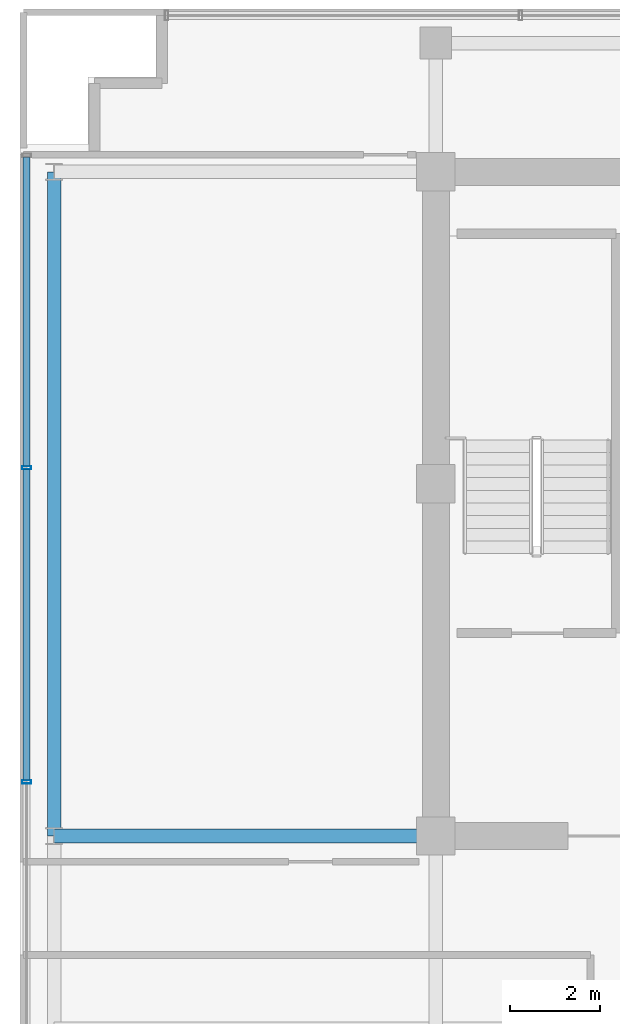
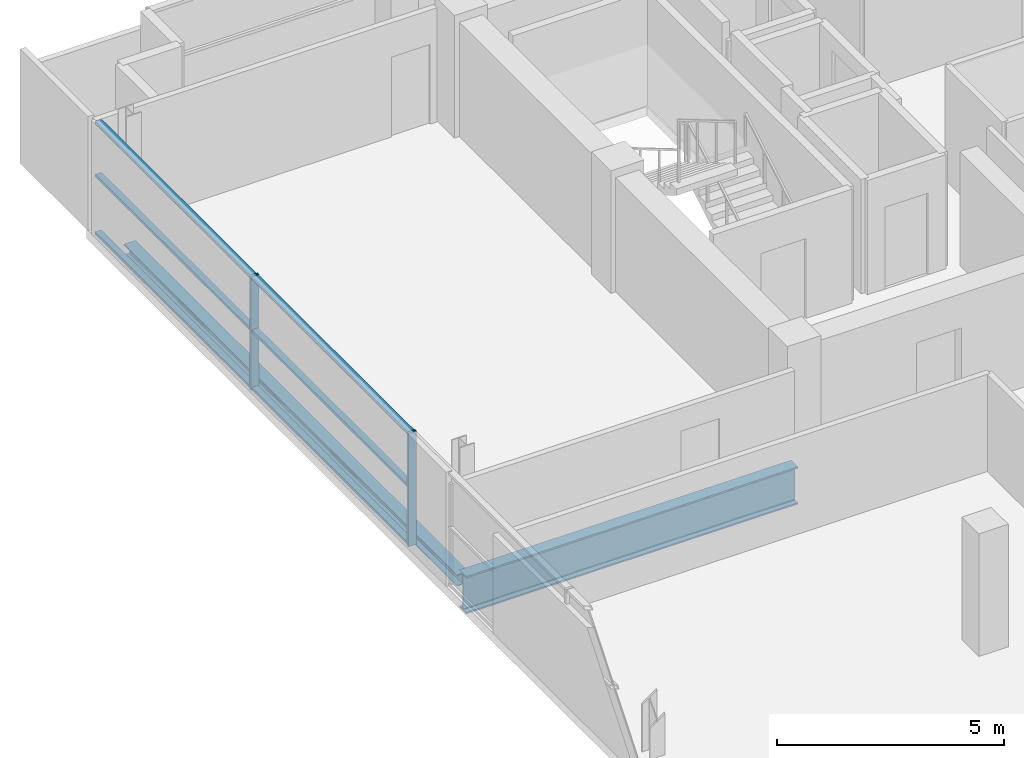
# One storey, part 9 of 24: 8 members, 2 beams, 1 element without a shape of its own.
"""IFC4 building model written with IfcOpenShell, lengths in metres."""

from ifc_helpers import new_model, si_unit, direction, frame, origin, origin_2d, place, context, subcontext, project, spatial, hollow_rectangle, i_section, extrude, source, transform, mapped, material, layer, layer_set, material_profile, profile_set, type_object, element, aggregate, save


model = new_model("IFC4")

# Units and contexts
model_context = context("Model", 3, precision=1e-05, world=origin(), true_north=direction((0.0, 1.0)))
body_context = subcontext(model_context, "Body", "Model", "MODEL_VIEW")
ifc_project = project(units=[si_unit("LENGTHUNIT", "METRE"), si_unit("AREAUNIT", "SQUARE_METRE"), si_unit("VOLUMEUNIT", "CUBIC_METRE"), si_unit("PLANEANGLEUNIT", "RADIAN"), si_unit("MASSUNIT", "GRAM", prefix="KILO")], contexts=[model_context])

# Site, building, storey
site_placement = place(None, origin())
site = spatial("IfcSite", under=ifc_project, at=site_placement, CompositionType="ELEMENT")
building_placement = place(site_placement, origin())
building = spatial("IfcBuilding", under=site, at=building_placement, Name="Zarnakvel Exchange Tower", CompositionType="ELEMENT")
storey_placement = place(building_placement, frame((0.0, 0.0, 205.60009765625)))
storey = spatial("IfcBuildingStorey", under=building, at=storey_placement, Name="L57", CompositionType="ELEMENT", Elevation=205.60009765625)

# Beams
ifc_material_1 = material(Name="Steel S355", Category="steel")
ifc_material_profile_1 = material_profile(ifc_material_1, i_section(OverallWidth=0.300048828125, OverallDepth=0.300048828125, WebThickness=0.010986328125, FlangeThickness=0.01904296875, FilletRadius=0.027099609375, at=origin_2d()))
ifc_profile_set_1 = profile_set([ifc_material_profile_1], Name="Steel S355")
beam_type_1 = type_object("IfcBeamType", Name="SP-03", PredefinedType="SPANDREL", material=ifc_profile_set_1)
beam_1_placement = place(storey_placement, frame((-22.85009765625, -1.199951171875, -0.400146484375), z_axis=(0.0, 1.0, 0.0), x_axis=(-1.0, 0.0, 0.0)))
element("IfcBeam", 1, at=beam_1_placement, inside=storey, type_object=beam_type_1, Name="L57 Tower N-S Frame Beam", PredefinedType="SPANDREL", context=body_context, shape_type="SweptSolid", body=[
    extrude(i_section(OverallWidth=0.300048828125, OverallDepth=0.300048828125, WebThickness=0.010986328125, FlangeThickness=0.01904296875, FilletRadius=0.027099609375, at=origin_2d()), origin(), (0.0, 0.0, 1.0), 14.699951171875),
])
ifc_material_2 = material(Name="Steel S460", Category="steel")
ifc_material_profile_2 = material_profile(ifc_material_2, i_section(OverallWidth=0.302001953125, OverallDepth=1.008056640625, WebThickness=0.02099609375, FlangeThickness=0.0400390625, FilletRadius=0.030029296875, at=origin_2d()))
ifc_profile_set_2 = profile_set([ifc_material_profile_2], Name="Steel S460")
beam_type_2 = type_object("IfcBeamType", Name="TG-05", PredefinedType="BEAM", material=ifc_profile_set_2)
beam_2_placement = place(storey_placement, frame((-22.85009765625, -1.199951171875, -0.754150390625), z_axis=(1.0, 0.0, 0.0), x_axis=(0.0, 1.0, 0.0)))
element("IfcBeam", 2, at=beam_2_placement, inside=storey, type_object=beam_type_2, Name="L57 Block-Shift Continuous Transfer TW-D", PredefinedType="BEAM", context=body_context, shape_type="SweptSolid", body=[
    extrude(i_section(OverallWidth=0.302001953125, OverallDepth=1.008056640625, WebThickness=0.02099609375, FlangeThickness=0.0400390625, FilletRadius=0.030029296875, at=origin_2d()), origin(), (0.0, 0.0, 1.0), 8.4501953125),
])

# Curtain wall, members
ifc_material_3 = material(Name="Architectural Bronze Anodised Aluminium", Category="aluminium")
ifc_layer = layer(ifc_material_3, 0.199951171875)
ifc_layer_set = layer_set([ifc_layer], Name="Architectural Bronze Anodised Aluminium")
curtain_wall_type = type_object("IfcCurtainWallType", Name="CW-04", PredefinedType="NOTDEFINED", material=ifc_layer_set)
curtain_wall_placement = place(storey_placement, origin())
curtain_wall = element("IfcCurtainWall", 3, at=curtain_wall_placement, inside=storey, type_object=curtain_wall_type, Name="L57 Curtain Wall CW-L57-W1 (CW-04)", PredefinedType="NOTDEFINED")
ifc_material_profile_3 = material_profile(ifc_material_3, hollow_rectangle(XDim=0.199951171875, YDim=0.074951171875, WallThickness=0.0048828125, at=origin_2d()))
ifc_profile_set_3 = profile_set([ifc_material_profile_3], Name="Architectural Bronze Anodised Aluminium")
member_type_1 = type_object("IfcMemberType", Name="CWM-04", PredefinedType="MULLION", material=ifc_profile_set_3)
shared_shape_1 = source(origin(), body_context, "Body", "SweptSolid", [
    extrude(hollow_rectangle(XDim=0.199951171875, YDim=0.074951171875, WallThickness=0.0048828125, at=origin_2d()), origin(), (0.0, 0.0, 1.0), 3.054931640625),
])
member_1_placement = place(storey_placement, frame((-23.4599609375, 0.0, 0.0), z_axis=(0.0, 0.0, 1.0), x_axis=(-1.0, 0.0, 0.0)))
member_1 = element("IfcMember", 4, at=member_1_placement, type_object=member_type_1, Name="CW-04 mullion 3", PredefinedType="MULLION", context=body_context, shape_type="MappedRepresentation", body=[
    mapped(shared_shape_1, transform((0.0, 0.0, 0.0), x_axis=(1.0, 0.0, 0.0), y_axis=(0.0, 1.0, 0.0), z_axis=(0.0, 0.0, 1.0), scale=1.0)),
])
member_2_placement = place(storey_placement, frame((-23.4599609375, 6.949951171875, 0.0), z_axis=(0.0, 0.0, 1.0), x_axis=(-1.0, 0.0, 0.0)))
member_2 = element("IfcMember", 5, at=member_2_placement, type_object=member_type_1, Name="CW-04 mullion 4", PredefinedType="MULLION", context=body_context, shape_type="MappedRepresentation", body=[
    mapped(shared_shape_1, transform((0.0, 0.0, 0.0), x_axis=(1.0, 0.0, 0.0), y_axis=(0.0, 1.0, 0.0), z_axis=(0.0, 0.0, 1.0), scale=1.0)),
])
ifc_material_profile_4 = material_profile(ifc_material_3, hollow_rectangle(XDim=0.159912109375, YDim=0.074951171875, WallThickness=0.00390625, at=origin_2d()))
ifc_profile_set_4 = profile_set([ifc_material_profile_4], Name="Architectural Bronze Anodised Aluminium")
member_type_2 = type_object("IfcMemberType", Name="CWT-04", PredefinedType="USERDEFINED", material=ifc_profile_set_4)
shared_shape_2 = source(origin(), body_context, "Body", "SweptSolid", [
    extrude(hollow_rectangle(XDim=0.159912109375, YDim=0.074951171875, WallThickness=0.00390625, at=origin_2d()), origin(), (0.0, 0.0, 1.0), 6.83740234375),
])
member_3_placement = place(storey_placement, frame((-23.4599609375, 6.987548828125, 0.037353515625), z_axis=(0.0, 1.0, 0.0), x_axis=(-1.0, 0.0, 0.0)))
member_3 = element("IfcMember", 6, at=member_3_placement, type_object=member_type_2, Name="CW-04 transom 4.1", ObjectType="TRANSOM", PredefinedType="USERDEFINED", context=body_context, shape_type="MappedRepresentation", body=[
    mapped(shared_shape_2, transform((0.0, 0.0, 0.0), x_axis=(1.0, 0.0, 0.0), y_axis=(0.0, 1.0, 0.0), z_axis=(0.0, 0.0, 1.0), scale=1.0)),
])
member_4_placement = place(storey_placement, frame((-23.4599609375, 6.987548828125, 1.588623046875), z_axis=(0.0, 1.0, 0.0), x_axis=(-1.0, 0.0, 0.0)))
member_4 = element("IfcMember", 7, at=member_4_placement, type_object=member_type_2, Name="CW-04 transom 4.2", ObjectType="TRANSOM", PredefinedType="USERDEFINED", context=body_context, shape_type="MappedRepresentation", body=[
    mapped(shared_shape_2, transform((0.0, 0.0, 0.0), x_axis=(1.0, 0.0, 0.0), y_axis=(0.0, 1.0, 0.0), z_axis=(0.0, 0.0, 1.0), scale=1.0)),
])
member_5_placement = place(storey_placement, frame((-23.4599609375, 6.987548828125, 3.017333984375), z_axis=(0.0, 1.0, 0.0), x_axis=(-1.0, 0.0, 0.0)))
member_5 = element("IfcMember", 8, at=member_5_placement, type_object=member_type_2, Name="CW-04 transom 4.3", ObjectType="TRANSOM", PredefinedType="USERDEFINED", context=body_context, shape_type="MappedRepresentation", body=[
    mapped(shared_shape_2, transform((0.0, 0.0, 0.0), x_axis=(1.0, 0.0, 0.0), y_axis=(0.0, 1.0, 0.0), z_axis=(0.0, 0.0, 1.0), scale=1.0)),
])
shared_shape_3 = source(origin(), body_context, "Body", "SweptSolid", [
    extrude(hollow_rectangle(XDim=0.159912109375, YDim=0.074951171875, WallThickness=0.00390625, at=origin_2d()), origin(), (0.0, 0.0, 1.0), 6.875),
])
member_6_placement = place(storey_placement, frame((-23.4599609375, 0.03759765625, 0.037353515625), z_axis=(0.0, 1.0, 0.0), x_axis=(-1.0, 0.0, 0.0)))
member_6 = element("IfcMember", 9, at=member_6_placement, type_object=member_type_2, Name="CW-04 transom 3.1", ObjectType="TRANSOM", PredefinedType="USERDEFINED", context=body_context, shape_type="MappedRepresentation", body=[
    mapped(shared_shape_3, transform((0.0, 0.0, 0.0), x_axis=(1.0, 0.0, 0.0), y_axis=(0.0, 1.0, 0.0), z_axis=(0.0, 0.0, 1.0), scale=1.0)),
])
member_7_placement = place(storey_placement, frame((-23.4599609375, 0.03759765625, 1.588623046875), z_axis=(0.0, 1.0, 0.0), x_axis=(-1.0, 0.0, 0.0)))
member_7 = element("IfcMember", 10, at=member_7_placement, type_object=member_type_2, Name="CW-04 transom 3.2", ObjectType="TRANSOM", PredefinedType="USERDEFINED", context=body_context, shape_type="MappedRepresentation", body=[
    mapped(shared_shape_3, transform((0.0, 0.0, 0.0), x_axis=(1.0, 0.0, 0.0), y_axis=(0.0, 1.0, 0.0), z_axis=(0.0, 0.0, 1.0), scale=1.0)),
])
member_8_placement = place(storey_placement, frame((-23.4599609375, 0.03759765625, 3.017333984375), z_axis=(0.0, 1.0, 0.0), x_axis=(-1.0, 0.0, 0.0)))
member_8 = element("IfcMember", 11, at=member_8_placement, type_object=member_type_2, Name="CW-04 transom 3.3", ObjectType="TRANSOM", PredefinedType="USERDEFINED", context=body_context, shape_type="MappedRepresentation", body=[
    mapped(shared_shape_3, transform((0.0, 0.0, 0.0), x_axis=(1.0, 0.0, 0.0), y_axis=(0.0, 1.0, 0.0), z_axis=(0.0, 0.0, 1.0), scale=1.0)),
])
aggregate(curtain_wall, [member_1, member_2, member_6, member_7, member_8, member_3, member_4, member_5])

save(model, "model.ifc")
